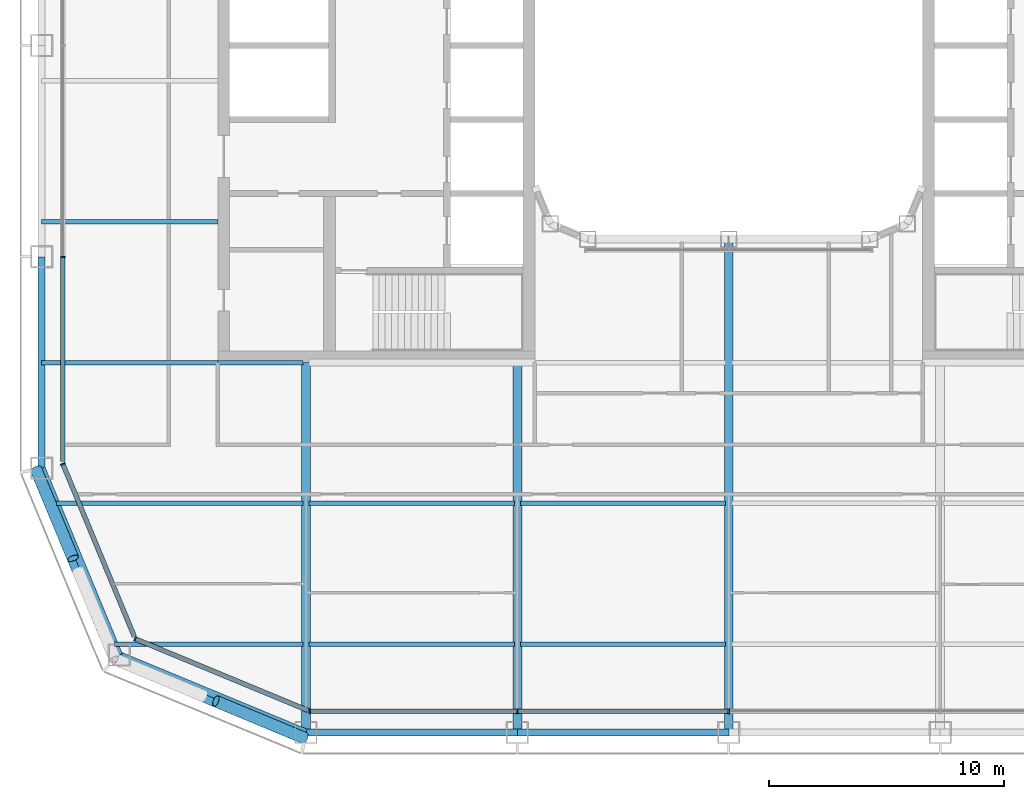
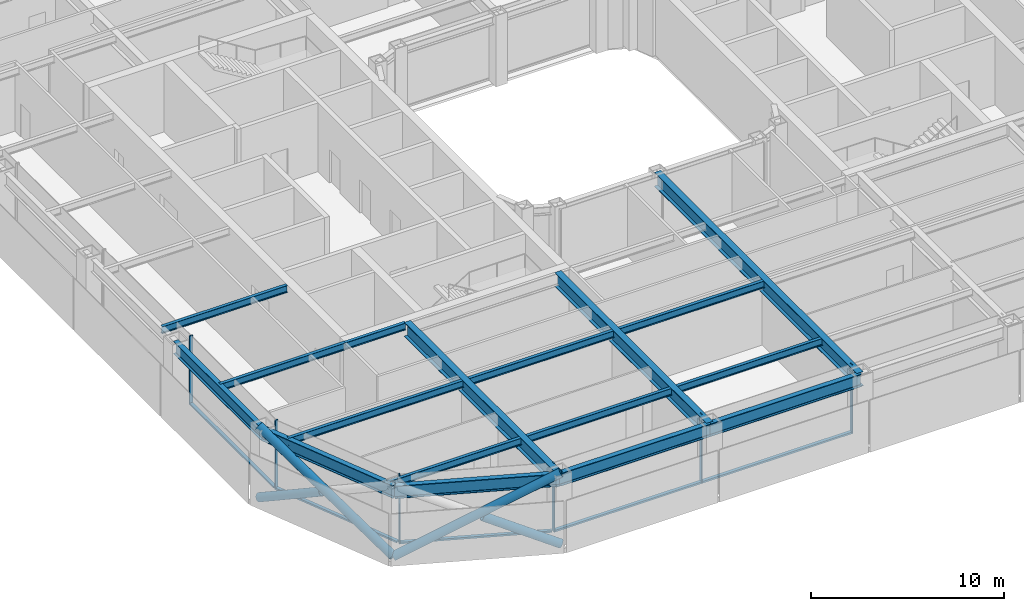
# One storey, part 2 of 24: 17 beams, 15 members, 4 elements without a shape of their own.
"""IFC4 building model written with IfcOpenShell, lengths in metres."""

from ifc_helpers import new_model, si_unit, direction, frame, origin, origin_2d, place, context, subcontext, project, spatial, rectangle, hollow_circle, i_section, extrude, material, layer, layer_set, material_profile, profile_set, type_object, element, aggregate, save


model = new_model("IFC4")

# Units and contexts
model_context = context("Model", 3, precision=1e-05, world=origin(), true_north=direction((0.0, 1.0)))
body_context = subcontext(model_context, "Body", "Model", "MODEL_VIEW")
ifc_project = project(units=[si_unit("LENGTHUNIT", "METRE"), si_unit("AREAUNIT", "SQUARE_METRE"), si_unit("VOLUMEUNIT", "CUBIC_METRE"), si_unit("PLANEANGLEUNIT", "RADIAN"), si_unit("MASSUNIT", "GRAM", prefix="KILO")], contexts=[model_context])

# Site, building, storey
site_placement = place(None, origin())
site = spatial("IfcSite", under=ifc_project, at=site_placement, CompositionType="ELEMENT")
building_placement = place(site_placement, origin())
building = spatial("IfcBuilding", under=site, at=building_placement, Name="Siwar Civic Tower", CompositionType="ELEMENT")
storey_placement = place(building_placement, frame((0.0, 0.0, 113.699951171875)))
storey = spatial("IfcBuildingStorey", under=building, at=storey_placement, Name="L24", CompositionType="ELEMENT", Elevation=113.699951171875)

# Curtain wall, members
ifc_material_1 = material(Name="Aluminium and glass", Category="aluminium")
ifc_layer_1 = layer(ifc_material_1, 0.199951171875)
ifc_layer_set_1 = layer_set([ifc_layer_1], Name="Aluminium and glass")
curtain_wall_type_1 = type_object("IfcCurtainWallType", Name="ENV-CW-B", PredefinedType="NOTDEFINED", material=ifc_layer_set_1)
curtain_wall_1_placement = place(storey_placement, origin())
curtain_wall_1 = element("IfcCurtainWall", 1, at=curtain_wall_1_placement, inside=storey, type_object=curtain_wall_type_1, Name="Curtain wall B S", PredefinedType="NOTDEFINED")
ifc_material_2 = material(Name="Aluminium 6063-T6", Category="aluminium")
ifc_material_profile_1 = material_profile(ifc_material_2, rectangle(XDim=0.199951171875, YDim=0.06494140625, at=origin_2d()), Name="AL 200x65")
ifc_profile_set_1 = profile_set([ifc_material_profile_1], Name="Aluminium 6063-T6")
member_type_1 = type_object("IfcMemberType", Name="ENV-MULLION-B", PredefinedType="MULLION", material=ifc_profile_set_1)
member_1_placement = place(storey_placement, frame((-17.821044921875, -28.35009765625, 0.0), z_axis=(0.0, 0.0, 1.0), x_axis=(0.0, 1.0, 0.0)))
member_1 = element("IfcMember", 2, at=member_1_placement, type_object=member_type_1, Name="Mullion B S 1", PredefinedType="MULLION", context=body_context, shape_type="SweptSolid", body=[
    extrude(rectangle(XDim=0.199951171875, YDim=0.06494140625, at=origin_2d()), origin(), (0.0, 0.0, 1.0), 4.35009765625),
])
member_2_placement = place(storey_placement, frame((-9.0, -28.35009765625, 0.0), z_axis=(0.0, 0.0, 1.0), x_axis=(0.0, 1.0, 0.0)))
member_2 = element("IfcMember", 3, at=member_2_placement, type_object=member_type_1, Name="Mullion B S 2", PredefinedType="MULLION", context=body_context, shape_type="SweptSolid", body=[
    extrude(rectangle(XDim=0.199951171875, YDim=0.06494140625, at=origin_2d()), origin(), (0.0, 0.0, 1.0), 4.35009765625),
])
member_3_placement = place(storey_placement, frame((0.0, -28.35009765625, 0.0), z_axis=(0.0, 0.0, 1.0), x_axis=(0.0, 1.0, 0.0)))
member_3 = element("IfcMember", 4, at=member_3_placement, type_object=member_type_1, Name="Mullion B S 3", PredefinedType="MULLION", context=body_context, shape_type="SweptSolid", body=[
    extrude(rectangle(XDim=0.199951171875, YDim=0.06494140625, at=origin_2d()), origin(), (0.0, 0.0, 1.0), 4.35009765625),
])

# Curtain wall, member
curtain_wall_2_placement = place(storey_placement, origin())
curtain_wall_2 = element("IfcCurtainWall", 5, at=curtain_wall_2_placement, inside=storey, type_object=curtain_wall_type_1, Name="Curtain wall B W", PredefinedType="NOTDEFINED")
member_4_placement = place(storey_placement, frame((-28.35009765625, -9.0, 0.0), z_axis=(0.0, 0.0, 1.0), x_axis=(1.0, 0.0, 0.0)))
member_4 = element("IfcMember", 6, at=member_4_placement, type_object=member_type_1, Name="Mullion B W 4", PredefinedType="MULLION", context=body_context, shape_type="SweptSolid", body=[
    extrude(rectangle(XDim=0.199951171875, YDim=0.06494140625, at=origin_2d()), origin(), (0.0, 0.0, 1.0), 4.35009765625),
])

ifc_material_3 = material(Name="Aluminium clad insulated panel", Category="aluminium")
ifc_layer_2 = layer(ifc_material_3, 0.199951171875)
ifc_layer_set_2 = layer_set([ifc_layer_2], Name="Aluminium clad insulated panel")
curtain_wall_type_2 = type_object("IfcCurtainWallType", Name="ENV-CW-BX", PredefinedType="NOTDEFINED", material=ifc_layer_set_2)
curtain_wall_3_placement = place(storey_placement, origin())
curtain_wall_3 = element("IfcCurtainWall", 7, at=curtain_wall_3_placement, inside=storey, type_object=curtain_wall_type_2, Name="Curtain wall B SW1", PredefinedType="NOTDEFINED")
member_5_placement = place(storey_placement, frame((-28.35009765625, -17.821044921875, 0.0), z_axis=(0.0, 0.0, 1.0), x_axis=(0.923879532511, 0.382683432365, 0.0)))
member_5 = element("IfcMember", 8, at=member_5_placement, type_object=member_type_1, Name="Mullion B SW1 1", PredefinedType="MULLION", context=body_context, shape_type="SweptSolid", body=[
    extrude(rectangle(XDim=0.199951171875, YDim=0.06494140625, at=origin_2d()), origin(), (0.0, 0.0, 1.0), 4.35009765625),
])

curtain_wall_4_placement = place(storey_placement, origin())
curtain_wall_4 = element("IfcCurtainWall", 9, at=curtain_wall_4_placement, inside=storey, type_object=curtain_wall_type_2, Name="Curtain wall B SW2", PredefinedType="NOTDEFINED")
member_6_placement = place(storey_placement, frame((-25.26611328125, -25.26611328125, 0.0), z_axis=(0.0, 0.0, 1.0), x_axis=(0.382683432365, 0.923879532511, 0.0)))
member_6 = element("IfcMember", 10, at=member_6_placement, type_object=member_type_1, Name="Mullion B SW2 1", PredefinedType="MULLION", context=body_context, shape_type="SweptSolid", body=[
    extrude(rectangle(XDim=0.199951171875, YDim=0.06494140625, at=origin_2d()), origin(), (0.0, 0.0, 1.0), 4.35009765625),
])

# Member
ifc_material_4 = material(Name="Aluminium 6063-T6", Category="aluminium")
ifc_material_profile_2 = material_profile(ifc_material_4, rectangle(XDim=0.199951171875, YDim=0.110107421875, at=origin_2d()), Name="AL 200x110")
ifc_profile_set_2 = profile_set([ifc_material_profile_2], Name="Aluminium 6063-T6")
member_type_2 = type_object("IfcMemberType", Name="ENV-TRANSOM-B", PredefinedType="USERDEFINED", material=ifc_profile_set_2)
member_7_placement = place(storey_placement, frame((-17.78857421875, -28.35009765625, 0.054931640625), z_axis=(1.0, 0.0, 0.0), x_axis=(0.0, 1.0, 0.0)))
member_7 = element("IfcMember", 11, at=member_7_placement, type_object=member_type_2, Name="Transom B S 1", ObjectType="TRANSOM", PredefinedType="USERDEFINED", context=body_context, shape_type="SweptSolid", body=[
    extrude(rectangle(XDim=0.199951171875, YDim=0.110107421875, at=origin_2d()), origin(), (0.0, 0.0, 1.0), 8.756103515625),
])

member_8_placement = place(storey_placement, frame((-8.967529296875, -28.35009765625, 0.054931640625), z_axis=(1.0, 0.0, 0.0), x_axis=(0.0, 1.0, 0.0)))
member_8 = element("IfcMember", 12, at=member_8_placement, type_object=member_type_2, Name="Transom B S 2", ObjectType="TRANSOM", PredefinedType="USERDEFINED", context=body_context, shape_type="SweptSolid", body=[
    extrude(rectangle(XDim=0.199951171875, YDim=0.110107421875, at=origin_2d()), origin(), (0.0, 0.0, 1.0), 8.93505859375),
])

aggregate(curtain_wall_1, [member_1, member_2, member_3, member_7, member_8])

member_9_placement = place(storey_placement, frame((-28.35009765625, -9.032470703125, 0.054931640625), z_axis=(0.0, -1.0, 0.0), x_axis=(1.0, 0.0, 0.0)))
member_9 = element("IfcMember", 13, at=member_9_placement, type_object=member_type_2, Name="Transom B W 4", ObjectType="TRANSOM", PredefinedType="USERDEFINED", context=body_context, shape_type="SweptSolid", body=[
    extrude(rectangle(XDim=0.199951171875, YDim=0.110107421875, at=origin_2d()), origin(), (0.0, 0.0, 1.0), 8.6748046875),
])

aggregate(curtain_wall_2, [member_4, member_9])

member_10_placement = place(storey_placement, frame((-28.337646484375, -17.85107421875, 0.054931640625), z_axis=(0.382699695651, -0.92387279587, 0.0), x_axis=(0.92387279587, 0.382699695651, 0.0)))
member_10 = element("IfcMember", 14, at=member_10_placement, type_object=member_type_2, Name="Transom B SW1 1", ObjectType="TRANSOM", PredefinedType="USERDEFINED", context=body_context, shape_type="SweptSolid", body=[
    extrude(rectangle(XDim=0.199951171875, YDim=0.110107421875, at=origin_2d()), origin(), (0.0, 0.0, 1.0), 7.912353515625),
])

aggregate(curtain_wall_3, [member_5, member_10])

member_11_placement = place(storey_placement, frame((-25.236083984375, -25.278564453125, 0.054931640625), z_axis=(0.923883705044, -0.382673358825, 0.0), x_axis=(0.382673358825, 0.923883705044, 0.0)))
member_11 = element("IfcMember", 15, at=member_11_placement, type_object=member_type_2, Name="Transom B SW2 1", ObjectType="TRANSOM", PredefinedType="USERDEFINED", context=body_context, shape_type="SweptSolid", body=[
    extrude(rectangle(XDim=0.199951171875, YDim=0.110107421875, at=origin_2d()), origin(), (0.0, 0.0, 1.0), 7.912353515625),
])

aggregate(curtain_wall_4, [member_6, member_11])

# Members
ifc_material_5 = material(Name="Steel S355", Category="steel")
ifc_material_profile_3 = material_profile(ifc_material_5, hollow_circle(Radius=0.25390625, WallThickness=0.02490234375, at=origin_2d()), Name="CHS508x25")
ifc_profile_set_3 = profile_set([ifc_material_profile_3], Name="Steel S355")
member_type_3 = type_object("IfcMemberType", Name="STR-BR-CHS508x25", PredefinedType="BRACE", material=ifc_profile_set_3)
member_12_placement = place(storey_placement, frame((-26.1318359375, -26.1318359375, 0.0), z_axis=(0.821142553604, -0.341671493852, 0.457149315816), x_axis=(0.384163874976, 0.923264922524, 0.0)))
element("IfcMember", 16, at=member_12_placement, inside=storey, type_object=member_type_3, Name="L24/brc/BSW1-3-0-1", PredefinedType="BRACE", context=body_context, shape_type="SweptSolid", body=[
    extrude(hollow_circle(Radius=0.25390625, WallThickness=0.02490234375, at=origin_2d()), origin(), (0.0, 0.0, 1.0), 9.843505859375),
])
member_13_placement = place(storey_placement, frame((-18.048828125, -29.4951171875, 0.0), z_axis=(-0.821126041429, 0.341677318012, 0.457174621391), x_axis=(-0.384176042158, -0.923259859753, 0.0)))
element("IfcMember", 17, at=member_13_placement, inside=storey, type_object=member_type_3, Name="L24/brc/BSW1-3-0-2", PredefinedType="BRACE", context=body_context, shape_type="SweptSolid", body=[
    extrude(hollow_circle(Radius=0.25390625, WallThickness=0.02490234375, at=origin_2d()), origin(), (0.0, 0.0, 1.0), 4.614501953125),
])
member_14_placement = place(storey_placement, frame((-26.1318359375, -26.1318359375, 0.0), z_axis=(-0.341671493852, 0.821142553604, 0.457149315816), x_axis=(-0.923264922524, -0.384163874976, 0.0)))
element("IfcMember", 18, at=member_14_placement, inside=storey, type_object=member_type_3, Name="L24/brc/BSW1-3-0-0", PredefinedType="BRACE", context=body_context, shape_type="SweptSolid", body=[
    extrude(hollow_circle(Radius=0.25390625, WallThickness=0.02490234375, at=origin_2d()), origin(), (0.0, 0.0, 1.0), 9.843505859375),
])
member_15_placement = place(storey_placement, frame((-29.4951171875, -18.048828125, 0.0), z_axis=(0.341677318012, -0.821126041429, 0.457174621391), x_axis=(0.923259859753, 0.384176042158, 0.0)))
element("IfcMember", 19, at=member_15_placement, inside=storey, type_object=member_type_3, Name="L24/brc/BSW1-3-0-4", PredefinedType="BRACE", context=body_context, shape_type="SweptSolid", body=[
    extrude(hollow_circle(Radius=0.25390625, WallThickness=0.02490234375, at=origin_2d()), origin(), (0.0, 0.0, 1.0), 4.614501953125),
])

# Beams
ifc_material_6 = material(Name="Steel S355", Category="steel")
ifc_material_profile_4 = material_profile(ifc_material_6, i_section(OverallWidth=0.18994140625, OverallDepth=0.449951171875, WebThickness=0.009521484375, FlangeThickness=0.0146484375, FilletRadius=0.02099609375, at=origin_2d()), Name="IPE450")
ifc_profile_set_4 = profile_set([ifc_material_profile_4], Name="Steel S355")
beam_type_1 = type_object("IfcBeamType", Name="STR-FB-IPE450", PredefinedType="JOIST", material=ifc_profile_set_4)
beam_1_placement = place(storey_placement, frame((-26.143310546875, -25.5, 4.125), z_axis=(1.0, 0.0, 0.0), x_axis=(0.0, 1.0, 0.0)))
element("IfcBeam", 20, at=beam_1_placement, inside=storey, type_object=beam_type_1, Name="L24/bm/F001", PredefinedType="JOIST", context=body_context, shape_type="SweptSolid", body=[
    extrude(i_section(OverallWidth=0.18994140625, OverallDepth=0.449951171875, WebThickness=0.009521484375, FlangeThickness=0.0146484375, FilletRadius=0.02099609375, at=origin_2d()), origin(), (0.0, 0.0, 1.0), 8.013427734375),
])
for number, where, z_axis, x_axis, name in (
    (21, (-17.8701171875, -25.5, 4.125), (1.0, 0.0, 0.0), (0.0, 1.0, 0.0), "L24/bm/F002"),
    (22, (-8.8701171875, -25.5, 4.125), (1.0, 0.0, 0.0), (0.0, 1.0, 0.0), "L24/bm/F003"),
):
    element("IfcBeam", number, at=place(storey_placement, frame(where, z_axis=z_axis, x_axis=x_axis)), inside=storey, type_object=beam_type_1, Name=name, PredefinedType="JOIST", context=body_context, shape_type="SweptSolid", body=[
        extrude(i_section(OverallWidth=0.18994140625, OverallDepth=0.449951171875, WebThickness=0.009521484375, FlangeThickness=0.0146484375, FilletRadius=0.02099609375, at=origin_2d()), origin(), (0.0, 0.0, 1.0), 8.740234375),
    ])
beam_2_placement = place(storey_placement, frame((-28.628662109375, -19.5, 4.125), z_axis=(1.0, 0.0, 0.0), x_axis=(0.0, 1.0, 0.0)))
element("IfcBeam", 23, at=beam_2_placement, inside=storey, type_object=beam_type_1, Name="L24/bm/F007", PredefinedType="JOIST", context=body_context, shape_type="SweptSolid", body=[
    extrude(i_section(OverallWidth=0.18994140625, OverallDepth=0.449951171875, WebThickness=0.009521484375, FlangeThickness=0.0146484375, FilletRadius=0.02099609375, at=origin_2d()), origin(), (0.0, 0.0, 1.0), 10.498779296875),
])
for number, where, z_axis, x_axis, name in (
    (24, (-17.8701171875, -19.5, 4.125), (1.0, 0.0, 0.0), (0.0, 1.0, 0.0), "L24/bm/F008"),
    (25, (-8.8701171875, -19.5, 4.125), (1.0, 0.0, 0.0), (0.0, 1.0, 0.0), "L24/bm/F009"),
):
    element("IfcBeam", number, at=place(storey_placement, frame(where, z_axis=z_axis, x_axis=x_axis)), inside=storey, type_object=beam_type_1, Name=name, PredefinedType="JOIST", context=body_context, shape_type="SweptSolid", body=[
        extrude(i_section(OverallWidth=0.18994140625, OverallDepth=0.449951171875, WebThickness=0.009521484375, FlangeThickness=0.0146484375, FilletRadius=0.02099609375, at=origin_2d()), origin(), (0.0, 0.0, 1.0), 8.740234375),
    ])
beam_3_placement = place(storey_placement, frame((-29.25, -13.5, 4.125), z_axis=(1.0, 0.0, 0.0), x_axis=(0.0, 1.0, 0.0)))
element("IfcBeam", 26, at=beam_3_placement, inside=storey, type_object=beam_type_1, Name="L24/bm/F013", PredefinedType="JOIST", context=body_context, shape_type="SweptSolid", body=[
    extrude(i_section(OverallWidth=0.18994140625, OverallDepth=0.449951171875, WebThickness=0.009521484375, FlangeThickness=0.0146484375, FilletRadius=0.02099609375, at=origin_2d()), origin(), (0.0, 0.0, 1.0), 7.5),
])
beam_4_placement = place(storey_placement, frame((-21.75, -13.5, 4.125), z_axis=(1.0, 0.0, 0.0), x_axis=(0.0, 1.0, 0.0)))
element("IfcBeam", 27, at=beam_4_placement, inside=storey, type_object=beam_type_1, Name="L24/bm/F014", PredefinedType="JOIST", context=body_context, shape_type="SweptSolid", body=[
    extrude(i_section(OverallWidth=0.18994140625, OverallDepth=0.449951171875, WebThickness=0.009521484375, FlangeThickness=0.0146484375, FilletRadius=0.02099609375, at=origin_2d()), origin(), (0.0, 0.0, 1.0), 3.6201171875),
])
beam_5_placement = place(storey_placement, frame((-29.25, -7.5, 4.125), z_axis=(1.0, 0.0, 0.0), x_axis=(0.0, 1.0, 0.0)))
element("IfcBeam", 28, at=beam_5_placement, inside=storey, type_object=beam_type_1, Name="L24/bm/F021", PredefinedType="JOIST", context=body_context, shape_type="SweptSolid", body=[
    extrude(i_section(OverallWidth=0.18994140625, OverallDepth=0.449951171875, WebThickness=0.009521484375, FlangeThickness=0.0146484375, FilletRadius=0.02099609375, at=origin_2d()), origin(), (0.0, 0.0, 1.0), 7.5),
])
ifc_material_7 = material(Name="Steel S355", Category="steel")
ifc_material_profile_5 = material_profile(ifc_material_7, i_section(OverallWidth=0.3798828125, OverallDepth=0.89990234375, WebThickness=0.01611328125, FlangeThickness=0.035888671875, at=origin_2d()), Name="PG900x380x16x36")
ifc_profile_set_5 = profile_set([ifc_material_profile_5], Name="Steel S355")
beam_type_2 = type_object("IfcBeamType", Name="STR-PG-PG900x380x16x36", PredefinedType="BEAM", material=ifc_profile_set_5)
for number, where, z_axis, x_axis, name in (
    (29, (-18.0, -29.25, 3.900146484375), (0.0, 1.0, 0.0), (-1.0, 0.0, 0.0), "L24/bm/G01"),
    (30, (-9.0, -29.25, 3.900146484375), (0.0, 1.0, 0.0), (-1.0, 0.0, 0.0), "L24/bm/G03"),
):
    element("IfcBeam", number, at=place(storey_placement, frame(where, z_axis=z_axis, x_axis=x_axis)), inside=storey, type_object=beam_type_2, Name=name, PredefinedType="BEAM", context=body_context, shape_type="SweptSolid", body=[
        extrude(i_section(OverallWidth=0.3798828125, OverallDepth=0.89990234375, WebThickness=0.01611328125, FlangeThickness=0.035888671875, at=origin_2d()), origin(), (0.0, 0.0, 1.0), 15.75),
    ])
beam_6_placement = place(storey_placement, frame((0.0, -29.25, 3.900146484375), z_axis=(0.0, 1.0, 0.0), x_axis=(-1.0, 0.0, 0.0)))
element("IfcBeam", 31, at=beam_6_placement, inside=storey, type_object=beam_type_2, Name="L24/bm/G05", PredefinedType="BEAM", context=body_context, shape_type="SweptSolid", body=[
    extrude(i_section(OverallWidth=0.3798828125, OverallDepth=0.89990234375, WebThickness=0.01611328125, FlangeThickness=0.035888671875, at=origin_2d()), origin(), (0.0, 0.0, 1.0), 21.0),
])
ifc_material_8 = material(Name="Steel S355", Category="steel")
ifc_material_profile_6 = material_profile(ifc_material_8, i_section(OverallWidth=0.300048828125, OverallDepth=0.800048828125, WebThickness=0.017578125, FlangeThickness=0.032958984375, FilletRadius=0.030029296875, at=origin_2d()), Name="HEB800")
ifc_profile_set_6 = profile_set([ifc_material_profile_6], Name="Steel S355")
beam_type_3 = type_object("IfcBeamType", Name="STR-SB-HEB800", PredefinedType="BEAM", material=ifc_profile_set_6)
for number, where, z_axis, x_axis, name in (
    (32, (-18.0, -29.25, 3.949951171875), (1.0, 0.0, 0.0), (0.0, 1.0, 0.0), "L24/bm/SS-0"),
    (33, (-9.0, -29.25, 3.949951171875), (1.0, 0.0, 0.0), (0.0, 1.0, 0.0), "L24/bm/SS-1"),
    (34, (-29.25, -9.0, 3.949951171875), (0.0, -1.0, 0.0), (1.0, 0.0, 0.0), "L24/bm/SW-3"),
):
    element("IfcBeam", number, at=place(storey_placement, frame(where, z_axis=z_axis, x_axis=x_axis)), inside=storey, type_object=beam_type_3, Name=name, PredefinedType="BEAM", context=body_context, shape_type="SweptSolid", body=[
        extrude(i_section(OverallWidth=0.300048828125, OverallDepth=0.800048828125, WebThickness=0.017578125, FlangeThickness=0.032958984375, FilletRadius=0.030029296875, at=origin_2d()), origin(), (0.0, 0.0, 1.0), 9.0),
    ])
for number, where, z_axis, x_axis, name in (
    (35, (-29.25, -18.0, 3.949951171875), (0.382699877515, -0.923872720536, 0.0), (0.923872720536, 0.382699877515, 0.0), "L24/bm/SSW1-0"),
    (36, (-25.954833984375, -25.954833984375, 3.949951171875), (0.923872720536, -0.382699877515, 0.0), (0.382699877515, 0.923872720536, 0.0), "L24/bm/SSW2-0"),
):
    element("IfcBeam", number, at=place(storey_placement, frame(where, z_axis=z_axis, x_axis=x_axis)), inside=storey, type_object=beam_type_3, Name=name, PredefinedType="BEAM", context=body_context, shape_type="SweptSolid", body=[
        extrude(i_section(OverallWidth=0.300048828125, OverallDepth=0.800048828125, WebThickness=0.017578125, FlangeThickness=0.032958984375, FilletRadius=0.030029296875, at=origin_2d()), origin(), (0.0, 0.0, 1.0), 8.6103515625),
    ])

save(model, "model.ifc")
